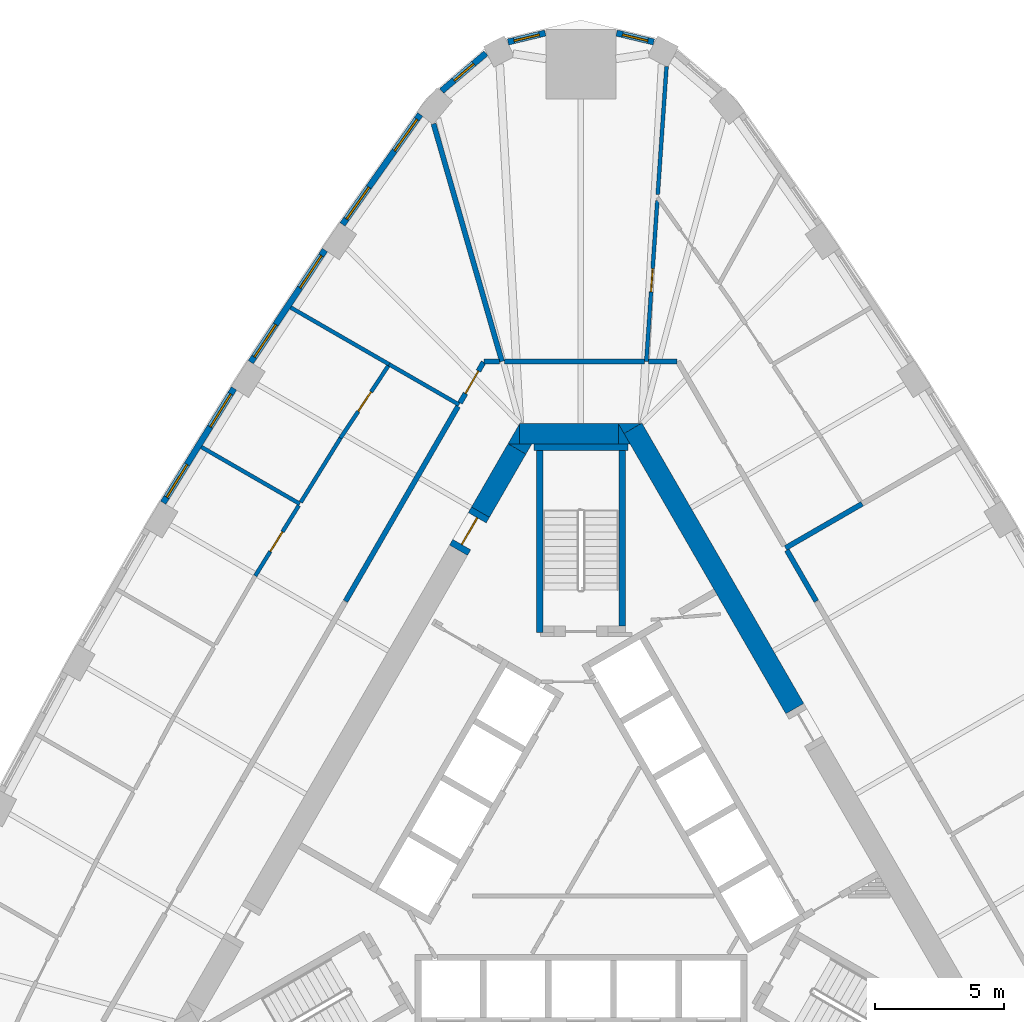
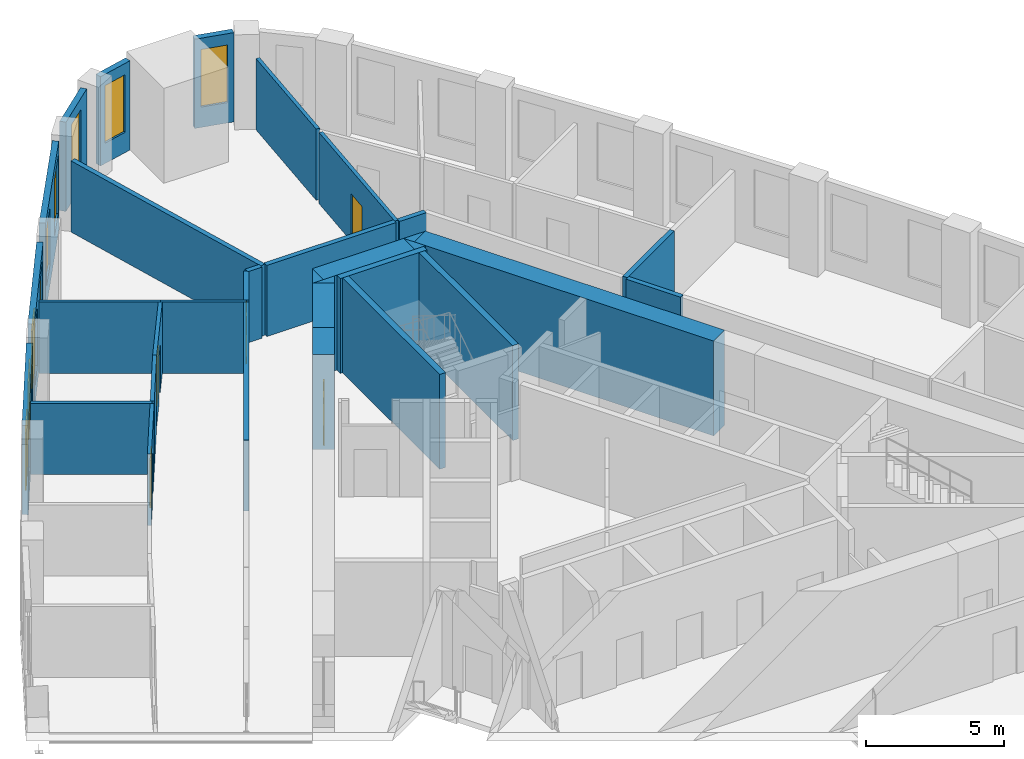
# One storey, part 9 of 11: 33 walls, 9 windows, 5 doors, 14 openings.
"""IFC4 building model written with IfcOpenShell, lengths in metres."""

from ifc_helpers import new_model, si_unit, direction, frame, frame_2d, origin, place, context, subcontext, project, spatial, polyline, rectangle, outline, extrude, material, layer, layer_set, type_object, element, fill, save


model = new_model("IFC4")

# Units and contexts
model_context = context("Model", 3, precision=1e-05, world=origin(), true_north=direction((0.0, 1.0)))
body_context = subcontext(model_context, "Body", "Model", "MODEL_VIEW")
ifc_project = project(units=[si_unit("LENGTHUNIT", "METRE"), si_unit("AREAUNIT", "SQUARE_METRE"), si_unit("VOLUMEUNIT", "CUBIC_METRE"), si_unit("PLANEANGLEUNIT", "RADIAN"), si_unit("MASSUNIT", "GRAM", prefix="KILO")], contexts=[model_context])

# Site, building, storey
site_placement = place(None, origin())
site = spatial("IfcSite", under=ifc_project, at=site_placement, CompositionType="ELEMENT")
building_placement = place(site_placement, origin())
building = spatial("IfcBuilding", under=site, at=building_placement, Name="Mestral Congress Tower", CompositionType="ELEMENT")
storey_placement = place(building_placement, frame((0.0, 0.0, 171.0)))
storey = spatial("IfcBuildingStorey", under=building, at=storey_placement, Name="L40", CompositionType="ELEMENT", Elevation=171.0)

# Walls
ifc_material_1 = material(Name="Concrete C60/75", Category="concrete")
ifc_layer_1 = layer(ifc_material_1, 0.800048828125)
ifc_layer_set_1 = layer_set([ifc_layer_1], Name="Concrete C60/75")
wall_type_1 = type_object("IfcWallType", Name="Core wall RC 800", PredefinedType="SOLIDWALL", material=ifc_layer_set_1)
wall_1_placement = place(storey_placement, frame((8.278564453125, 5.76123046875, 0.0), z_axis=(0.0, 0.0, 1.0), x_axis=(-0.500010359015, 0.866019422922, 0.0)))
element("IfcWall", 1, at=wall_1_placement, inside=storey, type_object=wall_type_1, Name="L40 core wall", PredefinedType="SOLIDWALL", context=body_context, shape_type="SweptSolid", body=[
    extrude(rectangle(XDim=12.527587890625, YDim=0.800048828125, at=frame_2d((6.263671875, 0.0))), origin(), (0.0, 0.0, 1.0), 4.199951171875),
])
placement = place(storey_placement, origin())
element("IfcWall", 2, at=placement, inside=storey, type_object=wall_type_1, Name="L40 core wall", PredefinedType="SOLIDWALL", context=body_context, shape_type="SweptSolid", body=[
    extrude(outline(polyline([(1.443359375, 16.800048828125), (2.33935546875, 16.800048828125), (1.667236328125, 16.412109375), (1.443359375, 16.800048828125)])), origin(), (0.0, 0.0, 1.0), 4.199951171875),
])
wall_3_placement = place(storey_placement, frame((-2.37890625, 16.39990234375, 0.0), z_axis=(0.0, 0.0, 1.0), x_axis=(1.0, 0.0, 0.0)))
element("IfcWall", 3, at=wall_3_placement, inside=storey, type_object=wall_type_1, Name="L40 core wall", PredefinedType="SOLIDWALL", context=body_context, shape_type="SweptSolid", body=[
    extrude(rectangle(XDim=3.82421875, YDim=0.800048828125, at=frame_2d((1.912109375, 0.0))), origin(), (0.0, 0.0, 1.0), 4.199951171875),
])
element("IfcWall", 4, at=placement, inside=storey, type_object=wall_type_1, Name="L40 core wall", PredefinedType="SOLIDWALL", context=body_context, shape_type="SweptSolid", body=[
    extrude(outline(polyline([(1.9052734375, 16.0), (1.447265625, 16.0), (1.447265625, 16.793212890625), (1.9052734375, 16.0)])), origin(), (0.0, 0.0, 1.0), 4.199951171875),
])
element("IfcWall", 5, at=placement, inside=storey, type_object=wall_type_1, Name="L40 core wall", PredefinedType="SOLIDWALL", context=body_context, shape_type="SweptSolid", body=[
    extrude(outline(polyline([(-2.8291015625, 16.0), (-2.381103515625, 16.77587890625), (-2.381103515625, 16.0), (-2.8291015625, 16.0)])), origin(), (0.0, 0.0, 1.0), 4.199951171875),
])
wall_6_placement = place(storey_placement, frame((-2.476806640625, 15.810302734375, 0.0), z_axis=(0.0, 0.0, 1.0), x_axis=(-0.499969377405, -0.866043083026, 0.0)))
element("IfcWall", 6, at=wall_6_placement, inside=storey, type_object=wall_type_1, Name="L40 core wall", PredefinedType="SOLIDWALL", context=body_context, shape_type="SweptSolid", body=[
    extrude(rectangle(XDim=2.824462890625, YDim=0.800048828125, at=frame_2d((1.412109375, 0.0))), origin(), (0.0, 0.0, 1.0), 4.199951171875),
])
element("IfcWall", 7, at=placement, inside=storey, type_object=wall_type_1, Name="L40 core wall", PredefinedType="SOLIDWALL", context=body_context, shape_type="SweptSolid", body=[
    extrude(outline(polyline([(-1.9052734375, 16.0), (-2.12939453125, 15.612060546875), (-2.80126953125, 16.0), (-1.9052734375, 16.0)])), origin(), (0.0, 0.0, 1.0), 4.199951171875),
])

# Wall, opening, door
wall_8_placement = place(storey_placement, frame((-4.739013671875, 11.89208984375, 0.0), z_axis=(0.0, 0.0, 1.0), x_axis=(0.500062241894, 0.865989465428, 0.0)))
wall_8 = element("IfcWall", 8, at=wall_8_placement, inside=storey, type_object=wall_type_1, Name="L40 door wall", PredefinedType="SOLIDWALL", context=body_context, shape_type="SweptSolid", body=[
    extrude(rectangle(XDim=1.699951171875, YDim=0.800048828125, at=frame_2d((0.85009765625, 0.0))), origin(), (0.0, 0.0, 1.0), 4.199951171875),
])
opening_1_placement = place(wall_8_placement, frame((0.25, 0.0, 0.0)))
opening_1 = element("IfcOpeningElement", 9, at=opening_1_placement, cuts=wall_8, Name="Opening XD2", PredefinedType="OPENING", context=body_context, shape_type="SweptSolid", body=[
    extrude(rectangle(XDim=1.199951171875, YDim=2.10009765625, at=frame_2d((0.60009765625, 1.050048828125))), frame((0.0, 0.409912109375, 0.0), z_axis=(0.0, -1.0, 0.0), x_axis=(1.0, 0.0, 0.0)), (0.0, 0.0, 1.0), 0.820068359375),
])
ifc_material_2 = material(Name="Fire-rated steel door set", Category="steel")
door_type_1 = type_object("IfcDoorType", Name="Core door XD 1200x2100", OperationType="SINGLE_SWING_LEFT", PredefinedType="DOOR", material=ifc_material_2)
door_1_placement = place(opening_1_placement, origin())
door_1 = element("IfcDoor", 10, at=door_1_placement, inside=storey, type_object=door_type_1, Name="Door XD2", OperationType="SINGLE_SWING_LEFT", OverallHeight=2.10009765625, OverallWidth=1.199951171875, PredefinedType="DOOR", context=body_context, shape_type="SweptSolid", body=[
    extrude(rectangle(XDim=1.199951171875, YDim=2.10009765625, at=frame_2d((0.60009765625, 1.050048828125))), frame((0.0, 0.02490234375, 0.0), z_axis=(0.0, -1.0, 0.0), x_axis=(1.0, 0.0, 0.0)), (0.0, 0.0, 1.0), 0.050048828125),
])
fill(opening_1, door_1)

# Wall, opening, window
ifc_material_3 = material(Name="Precast concrete C40/50 with limestone facing", Category="masonry")
ifc_layer_2 = layer(ifc_material_3, 0.239990234375)
ifc_layer_set_2 = layer_set([ifc_layer_2], Name="Precast concrete C40/50 with limestone facing")
wall_type_2 = type_object("IfcWallType", Name="Facade stone wall 240", PredefinedType="SOLIDWALL", material=ifc_layer_set_2)
wall_9_placement = place(storey_placement, frame((2.821044921875, 31.56640625, 0.0), z_axis=(0.0, 0.0, 1.0), x_axis=(-0.972479955788, 0.232986556673, 0.0)))
wall_9 = element("IfcWall", 11, at=wall_9_placement, inside=storey, type_object=wall_type_2, Name="Facade wall K1-1", PredefinedType="SOLIDWALL", context=body_context, shape_type="SweptSolid", body=[
    extrude(rectangle(XDim=1.481689453125, YDim=0.239990234375, at=frame_2d((0.74072265625, 0.0))), origin(), (0.0, 0.0, 1.0), 3.949951171875),
])
opening_2_placement = place(wall_9_placement, frame((0.24072265625, 0.0, 0.89990234375)))
opening_2 = element("IfcOpeningElement", 12, at=opening_2_placement, cuts=wall_9, Name="Opening W5", PredefinedType="OPENING", context=body_context, shape_type="SweptSolid", body=[
    extrude(rectangle(XDim=1.0, YDim=2.550048828125, at=frame_2d((0.5, 1.27490234375))), frame((0.0, 0.1298828125, 0.0), z_axis=(0.0, -1.0, 0.0), x_axis=(1.0, 0.0, 0.0)), (0.0, 0.0, 1.0), 0.260009765625),
])
ifc_material_4 = material(Name="Clear low-emissivity double glazing", Category="glass")
window_type_1 = type_object("IfcWindowType", Name="Facade punched window 1000 x 2550 sill 900", PartitioningType="SINGLE_PANEL", PredefinedType="WINDOW", material=ifc_material_4)
window_1_placement = place(opening_2_placement, origin())
window_1 = element("IfcWindow", 13, at=window_1_placement, inside=storey, type_object=window_type_1, Name="Window K1-1", OverallHeight=2.550048828125, OverallWidth=1.0, PartitioningType="SINGLE_PANEL", PredefinedType="WINDOW", context=body_context, shape_type="SweptSolid", body=[
    extrude(rectangle(XDim=1.0, YDim=2.550048828125, at=frame_2d((0.5, 1.27490234375))), frame((0.0, 0.0400390625, 0.0), z_axis=(0.0, -1.0, 0.0), x_axis=(1.0, 0.0, 0.0)), (0.0, 0.0, 1.0), 0.06005859375),
])
fill(opening_2, window_1)

wall_10_placement = place(storey_placement, frame((-1.380126953125, 31.91162109375, 0.0), z_axis=(0.0, 0.0, 1.0), x_axis=(-0.972479955788, -0.232986556673, 0.0)))
wall_10 = element("IfcWall", 14, at=wall_10_placement, inside=storey, type_object=wall_type_2, Name="Facade wall K1-2", PredefinedType="SOLIDWALL", context=body_context, shape_type="SweptSolid", body=[
    extrude(rectangle(XDim=1.481689453125, YDim=0.239990234375, at=frame_2d((0.74072265625, 0.0))), origin(), (0.0, 0.0, 1.0), 3.949951171875),
])
opening_3_placement = place(wall_10_placement, frame((0.24072265625, 0.0, 0.89990234375)))
opening_3 = element("IfcOpeningElement", 15, at=opening_3_placement, cuts=wall_10, Name="Opening W5", PredefinedType="OPENING", context=body_context, shape_type="SweptSolid", body=[
    extrude(rectangle(XDim=1.0, YDim=2.550048828125, at=frame_2d((0.5, 1.27490234375))), frame((0.0, 0.1298828125, 0.0), z_axis=(0.0, -1.0, 0.0), x_axis=(1.0, 0.0, 0.0)), (0.0, 0.0, 1.0), 0.260009765625),
])
window_2_placement = place(opening_3_placement, origin())
window_2 = element("IfcWindow", 16, at=window_2_placement, inside=storey, type_object=window_type_1, Name="Window K1-2", OverallHeight=2.550048828125, OverallWidth=1.0, PartitioningType="SINGLE_PANEL", PredefinedType="WINDOW", context=body_context, shape_type="SweptSolid", body=[
    extrude(rectangle(XDim=1.0, YDim=2.550048828125, at=frame_2d((0.5, 1.27490234375))), frame((0.0, 0.0400390625, 0.0), z_axis=(0.0, -1.0, 0.0), x_axis=(1.0, 0.0, 0.0)), (0.0, 0.0, 1.0), 0.06005859375),
])
fill(opening_3, window_2)

wall_11_placement = place(storey_placement, frame((-3.67822265625, 31.130859375, 0.0), z_axis=(0.0, 0.0, 1.0), x_axis=(-0.761419744247, -0.648259186645, 0.0)))
wall_11 = element("IfcWall", 17, at=wall_11_placement, inside=storey, type_object=wall_type_2, Name="Facade wall K1-3", PredefinedType="SOLIDWALL", context=body_context, shape_type="SweptSolid", body=[
    extrude(rectangle(XDim=2.250244140625, YDim=0.239990234375, at=frame_2d((1.125, 0.0))), origin(), (0.0, 0.0, 1.0), 3.949951171875),
])
opening_4_placement = place(wall_11_placement, frame((0.625244140625, 0.0, 0.89990234375)))
opening_4 = element("IfcOpeningElement", 18, at=opening_4_placement, cuts=wall_11, Name="Opening W5", PredefinedType="OPENING", context=body_context, shape_type="SweptSolid", body=[
    extrude(rectangle(XDim=1.0, YDim=2.550048828125, at=frame_2d((0.5, 1.27490234375))), frame((0.0, 0.1298828125, 0.0), z_axis=(0.0, -1.0, 0.0), x_axis=(1.0, 0.0, 0.0)), (0.0, 0.0, 1.0), 0.260009765625),
])
window_3_placement = place(opening_4_placement, origin())
window_3 = element("IfcWindow", 19, at=window_3_placement, inside=storey, type_object=window_type_1, Name="Window K1-3", OverallHeight=2.550048828125, OverallWidth=1.0, PartitioningType="SINGLE_PANEL", PredefinedType="WINDOW", context=body_context, shape_type="SweptSolid", body=[
    extrude(rectangle(XDim=1.0, YDim=2.550048828125, at=frame_2d((0.5, 1.27490234375))), frame((0.0, 0.0400390625, 0.0), z_axis=(0.0, -1.0, 0.0), x_axis=(1.0, 0.0, 0.0)), (0.0, 0.0, 1.0), 0.06005859375),
])
fill(opening_4, window_3)

# Wall, openings, windows
wall_12_placement = place(storey_placement, frame((-6.22265625, 28.76171875, 0.0), z_axis=(0.0, 0.0, 1.0), x_axis=(-0.577115207679, -0.816662743772, 0.0)))
wall_12 = element("IfcWall", 20, at=wall_12_placement, inside=storey, type_object=wall_type_2, Name="Facade wall F2-00", PredefinedType="SOLIDWALL", context=body_context, shape_type="SweptSolid", body=[
    extrude(rectangle(XDim=5.213134765625, YDim=0.239990234375, at=frame_2d((2.6064453125, 0.0))), origin(), (0.0, 0.0, 1.0), 3.949951171875),
])
opening_5_placement = place(wall_12_placement, frame((0.220703125, 0.0, 0.89990234375)))
opening_5 = element("IfcOpeningElement", 21, at=opening_5_placement, cuts=wall_12, Name="Opening W4", PredefinedType="OPENING", context=body_context, shape_type="SweptSolid", body=[
    extrude(rectangle(XDim=1.5, YDim=2.550048828125, at=frame_2d((0.75, 1.27490234375))), frame((0.0, 0.1298828125, 0.0), z_axis=(0.0, -1.0, 0.0), x_axis=(1.0, 0.0, 0.0)), (0.0, 0.0, 1.0), 0.260009765625),
])
opening_6_placement = place(wall_12_placement, frame((3.452392578125, 0.0, 0.89990234375)))
opening_6 = element("IfcOpeningElement", 22, at=opening_6_placement, cuts=wall_12, Name="Opening W4", PredefinedType="OPENING", context=body_context, shape_type="SweptSolid", body=[
    extrude(rectangle(XDim=1.5, YDim=2.550048828125, at=frame_2d((0.75, 1.27490234375))), frame((0.0, 0.1298828125, 0.0), z_axis=(0.0, -1.0, 0.0), x_axis=(1.0, 0.0, 0.0)), (0.0, 0.0, 1.0), 0.260009765625),
])
window_type_2 = type_object("IfcWindowType", Name="Facade punched window 1500 x 2550 sill 900", PartitioningType="SINGLE_PANEL", PredefinedType="WINDOW", material=ifc_material_4)
window_4_placement = place(opening_5_placement, origin())
window_4 = element("IfcWindow", 23, at=window_4_placement, inside=storey, type_object=window_type_2, Name="Window F2-00a", OverallHeight=2.550048828125, OverallWidth=1.5, PartitioningType="SINGLE_PANEL", PredefinedType="WINDOW", context=body_context, shape_type="SweptSolid", body=[
    extrude(rectangle(XDim=1.5, YDim=2.550048828125, at=frame_2d((0.75, 1.27490234375))), frame((0.0, 0.0400390625, 0.0), z_axis=(0.0, -1.0, 0.0), x_axis=(1.0, 0.0, 0.0)), (0.0, 0.0, 1.0), 0.06005859375),
])
fill(opening_5, window_4)
window_5_placement = place(opening_6_placement, origin())
window_5 = element("IfcWindow", 24, at=window_5_placement, inside=storey, type_object=window_type_2, Name="Window F2-00b", OverallHeight=2.550048828125, OverallWidth=1.5, PartitioningType="SINGLE_PANEL", PredefinedType="WINDOW", context=body_context, shape_type="SweptSolid", body=[
    extrude(rectangle(XDim=1.5, YDim=2.550048828125, at=frame_2d((0.75, 1.27490234375))), frame((0.0, 0.0400390625, 0.0), z_axis=(0.0, -1.0, 0.0), x_axis=(1.0, 0.0, 0.0)), (0.0, 0.0, 1.0), 0.06005859375),
])
fill(opening_6, window_5)

wall_13_placement = place(storey_placement, frame((-9.911376953125, 23.510009765625, 0.0), z_axis=(0.0, 0.0, 1.0), x_axis=(-0.551892811511, -0.833915058386, 0.0)))
wall_13 = element("IfcWall", 25, at=wall_13_placement, inside=storey, type_object=wall_type_2, Name="Facade wall F2-01", PredefinedType="SOLIDWALL", context=body_context, shape_type="SweptSolid", body=[
    extrude(rectangle(XDim=5.20361328125, YDim=0.239990234375, at=frame_2d((2.601806640625, 0.0))), origin(), (0.0, 0.0, 1.0), 3.949951171875),
])
opening_7_placement = place(wall_13_placement, frame((0.248291015625, 0.0, 0.89990234375)))
opening_7 = element("IfcOpeningElement", 26, at=opening_7_placement, cuts=wall_13, Name="Opening W4", PredefinedType="OPENING", context=body_context, shape_type="SweptSolid", body=[
    extrude(rectangle(XDim=1.5, YDim=2.550048828125, at=frame_2d((0.75, 1.27490234375))), frame((0.0, 0.1298828125, 0.0), z_axis=(0.0, -1.0, 0.0), x_axis=(1.0, 0.0, 0.0)), (0.0, 0.0, 1.0), 0.260009765625),
])
opening_8_placement = place(wall_13_placement, frame((3.455078125, 0.0, 0.89990234375)))
opening_8 = element("IfcOpeningElement", 27, at=opening_8_placement, cuts=wall_13, Name="Opening W4", PredefinedType="OPENING", context=body_context, shape_type="SweptSolid", body=[
    extrude(rectangle(XDim=1.5, YDim=2.550048828125, at=frame_2d((0.75, 1.27490234375))), frame((0.0, 0.1298828125, 0.0), z_axis=(0.0, -1.0, 0.0), x_axis=(1.0, 0.0, 0.0)), (0.0, 0.0, 1.0), 0.260009765625),
])
window_6_placement = place(opening_7_placement, origin())
window_6 = element("IfcWindow", 28, at=window_6_placement, inside=storey, type_object=window_type_2, Name="Window F2-01a", OverallHeight=2.550048828125, OverallWidth=1.5, PartitioningType="SINGLE_PANEL", PredefinedType="WINDOW", context=body_context, shape_type="SweptSolid", body=[
    extrude(rectangle(XDim=1.5, YDim=2.550048828125, at=frame_2d((0.75, 1.27490234375))), frame((0.0, 0.0400390625, 0.0), z_axis=(0.0, -1.0, 0.0), x_axis=(1.0, 0.0, 0.0)), (0.0, 0.0, 1.0), 0.06005859375),
])
fill(opening_7, window_6)
window_7_placement = place(opening_8_placement, origin())
window_7 = element("IfcWindow", 29, at=window_7_placement, inside=storey, type_object=window_type_2, Name="Window F2-01b", OverallHeight=2.550048828125, OverallWidth=1.5, PartitioningType="SINGLE_PANEL", PredefinedType="WINDOW", context=body_context, shape_type="SweptSolid", body=[
    extrude(rectangle(XDim=1.5, YDim=2.550048828125, at=frame_2d((0.75, 1.27490234375))), frame((0.0, 0.0400390625, 0.0), z_axis=(0.0, -1.0, 0.0), x_axis=(1.0, 0.0, 0.0)), (0.0, 0.0, 1.0), 0.06005859375),
])
fill(opening_8, window_7)

wall_14_placement = place(storey_placement, frame((-13.4326171875, 18.156005859375, 0.0), z_axis=(0.0, 0.0, 1.0), x_axis=(-0.526197926587, -0.850362124072, 0.0)))
wall_14 = element("IfcWall", 30, at=wall_14_placement, inside=storey, type_object=wall_type_2, Name="Facade wall F2-02", PredefinedType="SOLIDWALL", context=body_context, shape_type="SweptSolid", body=[
    extrude(rectangle(XDim=5.203369140625, YDim=0.239990234375, at=frame_2d((2.6015625, 0.0))), origin(), (0.0, 0.0, 1.0), 3.949951171875),
])
opening_9_placement = place(wall_14_placement, frame((0.248291015625, 0.0, 0.89990234375)))
opening_9 = element("IfcOpeningElement", 31, at=opening_9_placement, cuts=wall_14, Name="Opening W4", PredefinedType="OPENING", context=body_context, shape_type="SweptSolid", body=[
    extrude(rectangle(XDim=1.5, YDim=2.550048828125, at=frame_2d((0.75, 1.27490234375))), frame((0.0, 0.1298828125, 0.0), z_axis=(0.0, -1.0, 0.0), x_axis=(1.0, 0.0, 0.0)), (0.0, 0.0, 1.0), 0.260009765625),
])
opening_10_placement = place(wall_14_placement, frame((3.455078125, 0.0, 0.89990234375)))
opening_10 = element("IfcOpeningElement", 32, at=opening_10_placement, cuts=wall_14, Name="Opening W4", PredefinedType="OPENING", context=body_context, shape_type="SweptSolid", body=[
    extrude(rectangle(XDim=1.5, YDim=2.550048828125, at=frame_2d((0.75, 1.27490234375))), frame((0.0, 0.1298828125, 0.0), z_axis=(0.0, -1.0, 0.0), x_axis=(1.0, 0.0, 0.0)), (0.0, 0.0, 1.0), 0.260009765625),
])
window_8_placement = place(opening_9_placement, origin())
window_8 = element("IfcWindow", 33, at=window_8_placement, inside=storey, type_object=window_type_2, Name="Window F2-02a", OverallHeight=2.550048828125, OverallWidth=1.5, PartitioningType="SINGLE_PANEL", PredefinedType="WINDOW", context=body_context, shape_type="SweptSolid", body=[
    extrude(rectangle(XDim=1.5, YDim=2.550048828125, at=frame_2d((0.75, 1.27490234375))), frame((0.0, 0.0400390625, 0.0), z_axis=(0.0, -1.0, 0.0), x_axis=(1.0, 0.0, 0.0)), (0.0, 0.0, 1.0), 0.06005859375),
])
fill(opening_9, window_8)
window_9_placement = place(opening_10_placement, origin())
window_9 = element("IfcWindow", 34, at=window_9_placement, inside=storey, type_object=window_type_2, Name="Window F2-02b", OverallHeight=2.550048828125, OverallWidth=1.5, PartitioningType="SINGLE_PANEL", PredefinedType="WINDOW", context=body_context, shape_type="SweptSolid", body=[
    extrude(rectangle(XDim=1.5, YDim=2.550048828125, at=frame_2d((0.75, 1.27490234375))), frame((0.0, 0.0400390625, 0.0), z_axis=(0.0, -1.0, 0.0), x_axis=(1.0, 0.0, 0.0)), (0.0, 0.0, 1.0), 0.06005859375),
])
fill(opening_10, window_9)

# Wall
ifc_material_5 = material(Name="Plasterboard partition on steel studs", Category="steel")
ifc_layer_3 = layer(ifc_material_5, 0.14990234375)
ifc_layer_set_3 = layer_set([ifc_layer_3], Name="Plasterboard partition on steel studs")
wall_type_3 = type_object("IfcWallType", Name="Office partition 150", PredefinedType="PARTITIONING", material=ifc_layer_set_3)
wall_15_placement = place(storey_placement, frame((2.9736328125, 25.6572265625, 0.0), z_axis=(0.0, 0.0, 1.0), x_axis=(0.068301586051, 0.997664719905, 0.0)))
element("IfcWall", 35, at=wall_15_placement, inside=storey, type_object=wall_type_3, Name="Partition", PredefinedType="PARTITIONING", context=body_context, shape_type="SweptSolid", body=[
    extrude(rectangle(XDim=4.97216796875, YDim=0.14990234375, at=frame_2d((2.486083984375, 0.0))), origin(), (0.0, 0.0, 1.0), 3.14990234375),
])

# Wall, opening, door
wall_16_placement = place(storey_placement, frame((2.531494140625, 19.199951171875, 0.0), z_axis=(0.0, 0.0, 1.0), x_axis=(0.06832771358, 0.997662930832, 0.0)))
wall_16 = element("IfcWall", 36, at=wall_16_placement, inside=storey, type_object=wall_type_3, Name="Partition", PredefinedType="PARTITIONING", context=body_context, shape_type="SweptSolid", body=[
    extrude(rectangle(XDim=6.235107421875, YDim=0.14990234375, at=frame_2d((3.11767578125, 0.0))), origin(), (0.0, 0.0, 1.0), 3.14990234375),
])
opening_11_placement = place(wall_16_placement, frame((2.699951171875, 0.0, 0.0)))
opening_11 = element("IfcOpeningElement", 37, at=opening_11_placement, cuts=wall_16, Name="Opening O03-013", PredefinedType="OPENING", context=body_context, shape_type="SweptSolid", body=[
    extrude(rectangle(XDim=0.89990234375, YDim=2.10009765625, at=frame_2d((0.449951171875, 1.050048828125))), frame((0.0, 0.0849609375, 0.0), z_axis=(0.0, -1.0, 0.0), x_axis=(1.0, 0.0, 0.0)), (0.0, 0.0, 1.0), 0.169921875),
])
ifc_material_6 = material(Name="Timber door set", Category="wood")
door_type_2 = type_object("IfcDoorType", Name="Office door 900x2100", OperationType="SINGLE_SWING_LEFT", PredefinedType="DOOR", material=ifc_material_6)
door_2_placement = place(opening_11_placement, origin())
door_2 = element("IfcDoor", 38, at=door_2_placement, inside=storey, type_object=door_type_2, Name="Door O03-013", OperationType="SINGLE_SWING_RIGHT", OverallHeight=2.10009765625, OverallWidth=0.89990234375, PredefinedType="DOOR", context=body_context, shape_type="SweptSolid", body=[
    extrude(rectangle(XDim=0.89990234375, YDim=2.10009765625, at=frame_2d((0.449951171875, 1.050048828125))), frame((0.0, 0.02490234375, 0.0), z_axis=(0.0, -1.0, 0.0), x_axis=(1.0, 0.0, 0.0)), (0.0, 0.0, 1.0), 0.050048828125),
])
fill(opening_11, door_2)

# Walls
wall_17_placement = place(storey_placement, frame((-7.416259765625, 19.082763671875, 0.0), z_axis=(0.0, 0.0, 1.0), x_axis=(-0.866028016946, 0.499995473844, 0.0)))
element("IfcWall", 39, at=wall_17_placement, inside=storey, type_object=wall_type_3, Name="Partition", PredefinedType="PARTITIONING", context=body_context, shape_type="SweptSolid", body=[
    extrude(rectangle(XDim=4.412109375, YDim=0.14990234375, at=frame_2d((2.2060546875, 0.0))), origin(), (0.0, 0.0, 1.0), 3.14990234375),
])
wall_18_placement = place(storey_placement, frame((-4.719482421875, 17.525634765625, 0.0), z_axis=(0.0, 0.0, 1.0), x_axis=(-0.866011075544, 0.500024816419, 0.0)))
element("IfcWall", 40, at=wall_18_placement, inside=storey, type_object=wall_type_3, Name="Partition", PredefinedType="PARTITIONING", context=body_context, shape_type="SweptSolid", body=[
    extrude(rectangle(XDim=3.121826171875, YDim=0.14990234375, at=frame_2d((1.56103515625, 0.0))), origin(), (0.0, 0.0, 1.0), 3.14990234375),
])
wall_19_placement = place(storey_placement, frame((-10.882568359375, 13.68701171875, 0.0), z_axis=(0.0, 0.0, 1.0), x_axis=(-0.866033195618, 0.499986503906, 0.0)))
element("IfcWall", 41, at=wall_19_placement, inside=storey, type_object=wall_type_3, Name="Partition", PredefinedType="PARTITIONING", context=body_context, shape_type="SweptSolid", body=[
    extrude(rectangle(XDim=4.40185546875, YDim=0.14990234375, at=frame_2d((2.200927734375, 0.0))), origin(), (0.0, 0.0, 1.0), 3.14990234375),
])

# Wall, opening, door
wall_20_placement = place(storey_placement, frame((-9.308349609375, 16.231201171875, 0.0), z_axis=(0.0, 0.0, 1.0), x_axis=(0.551902709159, 0.833908507945, 0.0)))
wall_20 = element("IfcWall", 42, at=wall_20_placement, inside=storey, type_object=wall_type_3, Name="Partition", PredefinedType="PARTITIONING", context=body_context, shape_type="SweptSolid", body=[
    extrude(rectangle(XDim=3.346923828125, YDim=0.14990234375, at=frame_2d((1.67333984375, 0.0))), origin(), (0.0, 0.0, 1.0), 3.14990234375),
])
opening_12_placement = place(wall_20_placement, frame((1.24658203125, 0.0, 0.0)))
opening_12 = element("IfcOpeningElement", 43, at=opening_12_placement, cuts=wall_20, Name="Opening O03-015", PredefinedType="OPENING", context=body_context, shape_type="SweptSolid", body=[
    extrude(rectangle(XDim=0.89990234375, YDim=2.10009765625, at=frame_2d((0.449951171875, 1.050048828125))), frame((0.0, 0.0849609375, 0.0), z_axis=(0.0, -1.0, 0.0), x_axis=(1.0, 0.0, 0.0)), (0.0, 0.0, 1.0), 0.169921875),
])
door_3_placement = place(opening_12_placement, origin())
door_3 = element("IfcDoor", 44, at=door_3_placement, inside=storey, type_object=door_type_2, Name="Door O03-015", OperationType="SINGLE_SWING_RIGHT", OverallHeight=2.10009765625, OverallWidth=0.89990234375, PredefinedType="DOOR", context=body_context, shape_type="SweptSolid", body=[
    extrude(rectangle(XDim=0.89990234375, YDim=2.10009765625, at=frame_2d((0.449951171875, 1.050048828125))), frame((0.0, 0.02490234375, 0.0), z_axis=(0.0, -1.0, 0.0), x_axis=(1.0, 0.0, 0.0)), (0.0, 0.0, 1.0), 0.050048828125),
])
fill(opening_12, door_3)

# Wall
wall_21_placement = place(storey_placement, frame((-9.308349609375, 16.231201171875, 0.0), z_axis=(0.0, 0.0, 1.0), x_axis=(-0.526201893736, -0.850359669216, 0.0)))
element("IfcWall", 45, at=wall_21_placement, inside=storey, type_object=wall_type_3, Name="Partition", PredefinedType="PARTITIONING", context=body_context, shape_type="SweptSolid", body=[
    extrude(rectangle(XDim=2.9169921875, YDim=0.14990234375, at=frame_2d((1.45849609375, 0.0))), origin(), (0.0, 0.0, 1.0), 3.14990234375),
])

# Wall, opening, door
wall_22_placement = place(storey_placement, frame((-12.607666015625, 10.899169921875, 0.0), z_axis=(0.0, 0.0, 1.0), x_axis=(0.526170942761, 0.850378820876, 0.0)))
wall_22 = element("IfcWall", 46, at=wall_22_placement, inside=storey, type_object=wall_type_3, Name="Partition", PredefinedType="PARTITIONING", context=body_context, shape_type="SweptSolid", body=[
    extrude(rectangle(XDim=3.203369140625, YDim=0.14990234375, at=frame_2d((1.6015625, 0.0))), origin(), (0.0, 0.0, 1.0), 3.14990234375),
])
opening_13_placement = place(wall_22_placement, frame((1.103271484375, 0.0, 0.0)))
opening_13 = element("IfcOpeningElement", 47, at=opening_13_placement, cuts=wall_22, Name="Opening O03-016", PredefinedType="OPENING", context=body_context, shape_type="SweptSolid", body=[
    extrude(rectangle(XDim=0.89990234375, YDim=2.10009765625, at=frame_2d((0.449951171875, 1.050048828125))), frame((0.0, 0.0849609375, 0.0), z_axis=(0.0, -1.0, 0.0), x_axis=(1.0, 0.0, 0.0)), (0.0, 0.0, 1.0), 0.169921875),
])
door_4_placement = place(opening_13_placement, origin())
door_4 = element("IfcDoor", 48, at=door_4_placement, inside=storey, type_object=door_type_2, Name="Door O03-016", OperationType="SINGLE_SWING_LEFT", OverallHeight=2.10009765625, OverallWidth=0.89990234375, PredefinedType="DOOR", context=body_context, shape_type="SweptSolid", body=[
    extrude(rectangle(XDim=0.89990234375, YDim=2.10009765625, at=frame_2d((0.449951171875, 1.050048828125))), frame((0.0, 0.02490234375, 0.0), z_axis=(0.0, -1.0, 0.0), x_axis=(1.0, 0.0, 0.0)), (0.0, 0.0, 1.0), 0.050048828125),
])
fill(opening_13, door_4)

# Walls
ifc_material_7 = material(Name="Dense masonry wall, plastered", Category="masonry")
ifc_layer_4 = layer(ifc_material_7, 0.199951171875)
ifc_layer_set_4 = layer_set([ifc_layer_4], Name="Dense masonry wall, plastered")
wall_type_4 = type_object("IfcWallType", Name="Office tenancy wall 200", PredefinedType="PARTITIONING", material=ifc_layer_set_4)
wall_23_placement = place(storey_placement, frame((7.92236328125, 11.977783203125, 0.0), z_axis=(0.0, 0.0, 1.0), x_axis=(0.866008564848, 0.50002916476, 0.0)))
element("IfcWall", 49, at=wall_23_placement, inside=storey, type_object=wall_type_4, Name="Tenancy wall", PredefinedType="PARTITIONING", context=body_context, shape_type="SweptSolid", body=[
    extrude(rectangle(XDim=3.422119140625, YDim=0.199951171875, at=frame_2d((1.7109375, 0.0))), origin(), (0.0, 0.0, 1.0), 3.14990234375),
])
wall_24_placement = place(storey_placement, frame((9.111328125, 9.91845703125, 0.0), z_axis=(0.0, 0.0, 1.0), x_axis=(-0.499954382462, 0.86605173948, 0.0)))
element("IfcWall", 50, at=wall_24_placement, inside=storey, type_object=wall_type_4, Name="Tenancy wall", PredefinedType="PARTITIONING", context=body_context, shape_type="SweptSolid", body=[
    extrude(rectangle(XDim=2.278076171875, YDim=0.199951171875, at=frame_2d((1.13916015625, 0.0))), origin(), (0.0, 0.0, 1.0), 3.14990234375),
])
wall_25_placement = place(storey_placement, frame((3.722900390625, 19.199951171875, 0.0), z_axis=(0.0, 0.0, 1.0), x_axis=(-1.0, 0.0, 0.0)))
element("IfcWall", 51, at=wall_25_placement, inside=storey, type_object=wall_type_4, Name="Tenancy wall", PredefinedType="PARTITIONING", context=body_context, shape_type="SweptSolid", body=[
    extrude(rectangle(XDim=1.1162109375, YDim=0.199951171875, at=frame_2d((0.55810546875, 0.0))), origin(), (0.0, 0.0, 1.0), 3.14990234375),
])
wall_26_placement = place(storey_placement, frame((-3.057861328125, 19.199951171875, 0.0), z_axis=(0.0, 0.0, 1.0), x_axis=(-0.276542988003, 0.961001548275, 0.0)))
element("IfcWall", 52, at=wall_26_placement, inside=storey, type_object=wall_type_4, Name="Tenancy wall", PredefinedType="PARTITIONING", context=body_context, shape_type="SweptSolid", body=[
    extrude(rectangle(XDim=9.572509765625, YDim=0.199951171875, at=frame_2d((4.7861328125, 0.0))), origin(), (0.0, 0.0, 1.0), 3.14990234375),
])
wall_27_placement = place(storey_placement, frame((2.456298828125, 19.199951171875, 0.0), z_axis=(0.0, 0.0, 1.0), x_axis=(-1.0, 0.0, 0.0)))
element("IfcWall", 53, at=wall_27_placement, inside=storey, type_object=wall_type_4, Name="Tenancy wall", PredefinedType="PARTITIONING", context=body_context, shape_type="SweptSolid", body=[
    extrude(rectangle(XDim=5.409912109375, YDim=0.199951171875, at=frame_2d((2.705078125, 0.0))), origin(), (0.0, 0.0, 1.0), 3.14990234375),
])
wall_28_placement = place(storey_placement, frame((-3.161865234375, 19.199951171875, 0.0), z_axis=(0.0, 0.0, 1.0), x_axis=(-1.0, 0.0, 0.0)))
element("IfcWall", 54, at=wall_28_placement, inside=storey, type_object=wall_type_4, Name="Tenancy wall", PredefinedType="PARTITIONING", context=body_context, shape_type="SweptSolid", body=[
    extrude(rectangle(XDim=0.5908203125, YDim=0.199951171875, at=frame_2d((0.29541015625, 0.0))), origin(), (0.0, 0.0, 1.0), 3.14990234375),
])

# Wall, opening, door
wall_29_placement = place(storey_placement, frame((-3.767822265625, 19.174072265625, 0.0), z_axis=(0.0, 0.0, 1.0), x_axis=(-0.499930512259, -0.866065518833, 0.0)))
wall_29 = element("IfcWall", 55, at=wall_29_placement, inside=storey, type_object=wall_type_4, Name="Tenancy wall", PredefinedType="PARTITIONING", context=body_context, shape_type="SweptSolid", body=[
    extrude(rectangle(XDim=1.828369140625, YDim=0.199951171875, at=frame_2d((0.9140625, 0.0))), origin(), (0.0, 0.0, 1.0), 3.14990234375),
])
opening_14_placement = place(wall_29_placement, frame((0.39990234375, 0.0, 0.0)))
opening_14 = element("IfcOpeningElement", 56, at=opening_14_placement, cuts=wall_29, Name="Opening O03-014", PredefinedType="OPENING", context=body_context, shape_type="SweptSolid", body=[
    extrude(rectangle(XDim=1.0, YDim=2.10009765625, at=frame_2d((0.5, 1.050048828125))), frame((0.0, 0.10986328125, 0.0), z_axis=(0.0, -1.0, 0.0), x_axis=(1.0, 0.0, 0.0)), (0.0, 0.0, 1.0), 0.219970703125),
])
ifc_material_8 = material(Name="Fire-rated timber door set", Category="wood")
door_type_3 = type_object("IfcDoorType", Name="Office tenancy entrance door 1000x2100", OperationType="SINGLE_SWING_LEFT", PredefinedType="DOOR", material=ifc_material_8)
door_5_placement = place(opening_14_placement, origin())
door_5 = element("IfcDoor", 57, at=door_5_placement, inside=storey, type_object=door_type_3, Name="Door O03-014", OperationType="SINGLE_SWING_LEFT", OverallHeight=2.10009765625, OverallWidth=1.0, PredefinedType="DOOR", context=body_context, shape_type="SweptSolid", body=[
    extrude(rectangle(XDim=1.0, YDim=2.10009765625, at=frame_2d((0.5, 1.050048828125))), frame((0.0, 0.02490234375, 0.0), z_axis=(0.0, -1.0, 0.0), x_axis=(1.0, 0.0, 0.0)), (0.0, 0.0, 1.0), 0.050048828125),
])
fill(opening_14, door_5)

# Walls
wall_30_placement = place(storey_placement, frame((-4.7568359375, 17.460693359375, 0.0), z_axis=(0.0, 0.0, 1.0), x_axis=(-0.499998278779, -0.866026397529, 0.0)))
element("IfcWall", 58, at=wall_30_placement, inside=storey, type_object=wall_type_4, Name="Tenancy wall", PredefinedType="PARTITIONING", context=body_context, shape_type="SweptSolid", body=[
    extrude(rectangle(XDim=8.708984375, YDim=0.199951171875, at=frame_2d((4.3544921875, 0.0))), origin(), (0.0, 0.0, 1.0), 3.14990234375),
])
ifc_layer_5 = layer(ifc_material_1, 0.25)
ifc_layer_set_5 = layer_set([ifc_layer_5], Name="Concrete C60/75")
wall_type_5 = type_object("IfcWallType", Name="Stair wall RC 250", PredefinedType="SOLIDWALL", material=ifc_layer_set_5)
wall_31_placement = place(storey_placement, frame((-1.81689453125, 15.875, 0.0), z_axis=(0.0, 0.0, 1.0), x_axis=(1.0, 0.0, 0.0)))
element("IfcWall", 59, at=wall_31_placement, inside=storey, type_object=wall_type_5, Name="L40 core wall", PredefinedType="SOLIDWALL", context=body_context, shape_type="SweptSolid", body=[
    extrude(rectangle(XDim=3.6337890625, YDim=0.25, at=frame_2d((1.81689453125, 0.0))), origin(), (0.0, 0.0, 1.0), 4.199951171875),
])
wall_32_placement = place(storey_placement, frame((1.60009765625, 8.949951171875, 0.0), z_axis=(0.0, 0.0, 1.0), x_axis=(0.0, 1.0, 0.0)))
element("IfcWall", 60, at=wall_32_placement, inside=storey, type_object=wall_type_5, Name="L40 core wall", PredefinedType="SOLIDWALL", context=body_context, shape_type="SweptSolid", body=[
    extrude(rectangle(XDim=6.800048828125, YDim=0.25, at=frame_2d((3.39990234375, 0.0))), origin(), (0.0, 0.0, 1.0), 4.199951171875),
])
wall_33_placement = place(storey_placement, frame((-1.60009765625, 8.699951171875, 0.0), z_axis=(0.0, 0.0, 1.0), x_axis=(0.0, 1.0, 0.0)))
element("IfcWall", 61, at=wall_33_placement, inside=storey, type_object=wall_type_5, Name="L40 core wall", PredefinedType="SOLIDWALL", context=body_context, shape_type="SweptSolid", body=[
    extrude(rectangle(XDim=7.050048828125, YDim=0.25, at=frame_2d((3.52490234375, 0.0))), origin(), (0.0, 0.0, 1.0), 4.199951171875),
])

save(model, "model.ifc")
